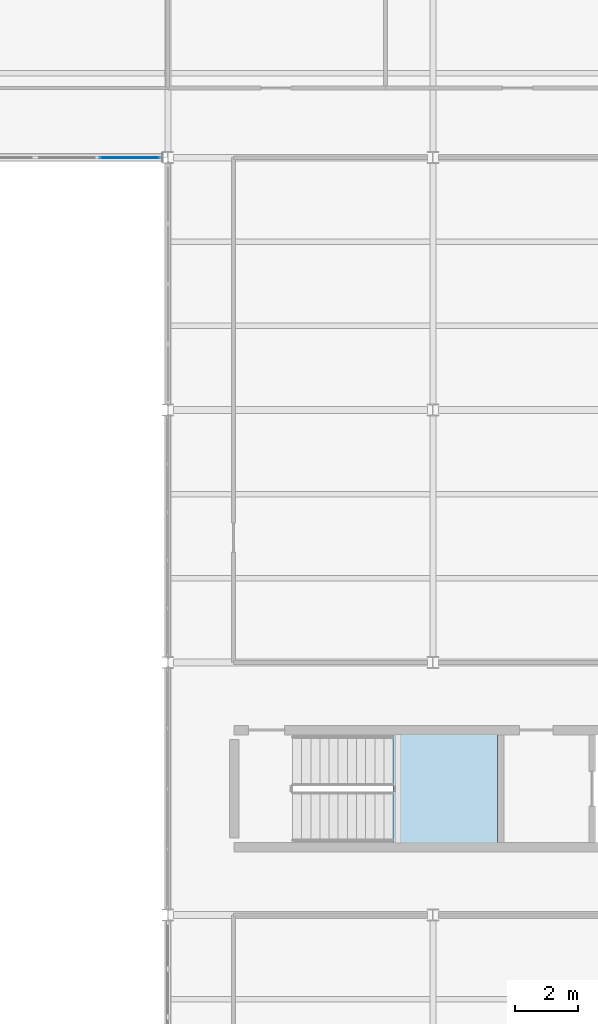
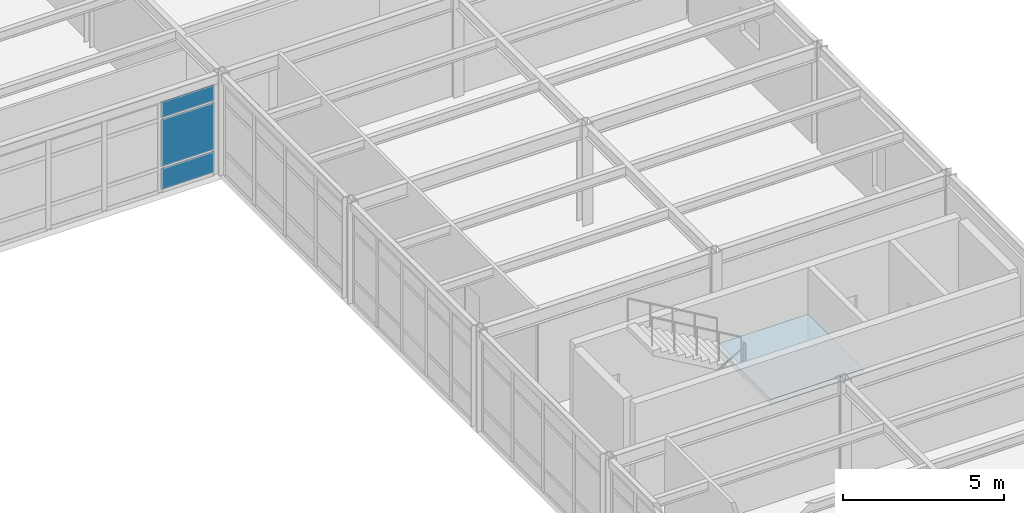
# One storey, part 66 of 138: 3 plates, 1 slab, 2 elements without a shape of their own.
"""IFC4 building model written with IfcOpenShell, lengths in metres."""

from ifc_helpers import new_model, si_unit, direction, frame, origin, origin_2d, place, context, subcontext, project, spatial, polyline, rectangle, outline, extrude, material, layer, layer_set, type_object, element, aggregate, save


model = new_model("IFC4")

# Units and contexts
model_context = context("Model", 3, precision=1e-05, world=origin(), true_north=direction((0.0, 1.0)))
body_context = subcontext(model_context, "Body", "Model", "MODEL_VIEW")
ifc_project = project(units=[si_unit("LENGTHUNIT", "METRE"), si_unit("AREAUNIT", "SQUARE_METRE"), si_unit("VOLUMEUNIT", "CUBIC_METRE"), si_unit("PLANEANGLEUNIT", "RADIAN"), si_unit("MASSUNIT", "GRAM", prefix="KILO")], contexts=[model_context])

# Site, building, storey
site_placement = place(None, origin())
site = spatial("IfcSite", under=ifc_project, at=site_placement, CompositionType="ELEMENT")
building_placement = place(site_placement, origin())
building = spatial("IfcBuilding", under=site, at=building_placement, Name="Kranzveld Transit Interchange", CompositionType="ELEMENT")
storey_placement = place(building_placement, frame((0.0, 0.0, 5.43994140625)))
storey = spatial("IfcBuildingStorey", under=building, at=storey_placement, Name="L01", CompositionType="ELEMENT", Elevation=5.43994140625)

# Curtain wall, plates
ifc_material_1 = material(Name="Bronze-anodised thermally broken aluminium", Category="aluminium")
ifc_layer_1 = layer(ifc_material_1, 0.179931640625)
ifc_layer_set_1 = layer_set([ifc_layer_1], Name="Bronze-anodised thermally broken aluminium")
curtain_wall_type = type_object("IfcCurtainWallType", Name="Concourse Unitised Curtain Wall CW-1", PredefinedType="USERDEFINED", material=ifc_layer_set_1)
curtain_wall_placement = place(storey_placement, origin())
curtain_wall = element("IfcCurtainWall", 1, at=curtain_wall_placement, inside=storey, type_object=curtain_wall_type, Name="L01 Curtain Wall 18/N-19/N", ObjectType="CURTAIN WALL", PredefinedType="USERDEFINED")
ifc_material_2 = material(Name="Solar-control double glazing", Category="glass")
ifc_layer_2 = layer(ifc_material_2, 0.028076171875)
ifc_layer_set_2 = layer_set([ifc_layer_2], Name="Solar-control double glazing")
plate_type = type_object("IfcPlateType", Name="Curtain Panel Double Glazing 28", PredefinedType="CURTAIN_PANEL", material=ifc_layer_set_2)
plate_1_placement = place(storey_placement, frame((149.9931640625, 96.0, 0.06494140625), z_axis=(0.0, 0.0, 1.0), x_axis=(1.0, 0.0, 0.0)))
plate_1 = element("IfcPlate", 2, at=plate_1_placement, type_object=plate_type, Name="CW-1 panel 4.1", PredefinedType="CURTAIN_PANEL", context=body_context, shape_type="SweptSolid", body=[
    extrude(rectangle(XDim=1.908935546875, YDim=0.028076171875, at=origin_2d()), origin(), (0.0, 0.0, 1.0), 0.802490234375),
])
plate_2_placement = place(storey_placement, frame((149.9931640625, 96.0, 0.9326171875), z_axis=(0.0, 0.0, 1.0), x_axis=(1.0, 0.0, 0.0)))
plate_2 = element("IfcPlate", 3, at=plate_2_placement, type_object=plate_type, Name="CW-1 panel 4.2", PredefinedType="CURTAIN_PANEL", context=body_context, shape_type="SweptSolid", body=[
    extrude(rectangle(XDim=1.908935546875, YDim=0.028076171875, at=origin_2d()), origin(), (0.0, 0.0, 1.0), 1.784912109375),
])
plate_3_placement = place(storey_placement, frame((149.9931640625, 96.0, 2.782470703125), z_axis=(0.0, 0.0, 1.0), x_axis=(1.0, 0.0, 0.0)))
plate_3 = element("IfcPlate", 4, at=plate_3_placement, type_object=plate_type, Name="CW-1 panel 4.3", PredefinedType="CURTAIN_PANEL", context=body_context, shape_type="SweptSolid", body=[
    extrude(rectangle(XDim=1.908935546875, YDim=0.028076171875, at=origin_2d()), origin(), (0.0, 0.0, 1.0), 0.6025390625),
])
aggregate(curtain_wall, [plate_1, plate_2, plate_3])

# Stair, slab
ifc_material_3 = material(Name="Concrete C35/45", Category="concrete")
stair_type = type_object("IfcStairType", Name="Dogleg Stair 1600W H4080 C35/45", PredefinedType="HALF_TURN_STAIR", material=ifc_material_3)
stair_placement = place(storey_placement, origin())
stair = element("IfcStair", 5, at=stair_placement, inside=storey, type_object=stair_type, Name="L01 Community East Core C4", PredefinedType="HALF_TURN_STAIR")
ifc_material_4 = material(Name="Concrete C35/45", Category="concrete")
ifc_layer_3 = layer(ifc_material_4, 0.199951171875)
ifc_layer_set_3 = layer_set([ifc_layer_3], Name="Concrete C35/45")
slab_type = type_object("IfcSlabType", Name="Stair & Ramp Landing 200 C35/45", PredefinedType="LANDING", material=ifc_layer_set_3)
slab_placement = place(storey_placement, frame((0.0, 0.0, 1.840087890625)))
slab = element("IfcSlab", 6, at=slab_placement, type_object=slab_type, Name="ST-V4B landing 1", PredefinedType="LANDING", context=body_context, shape_type="SweptSolid", body=[
    extrude(outline(polyline([(158.340087890625, 74.284912109375), (161.64990234375, 74.284912109375), (161.64990234375, 77.715087890625), (158.340087890625, 77.715087890625), (158.340087890625, 74.284912109375)])), origin(), (0.0, 0.0, 1.0), 0.199951171875),
])
aggregate(stair, [slab])

save(model, "model.ifc")
